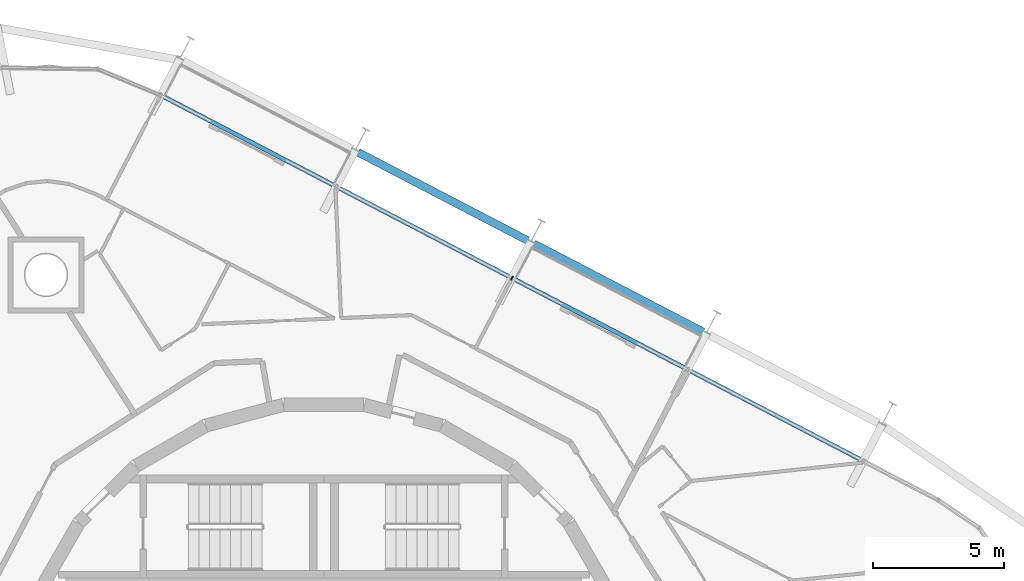
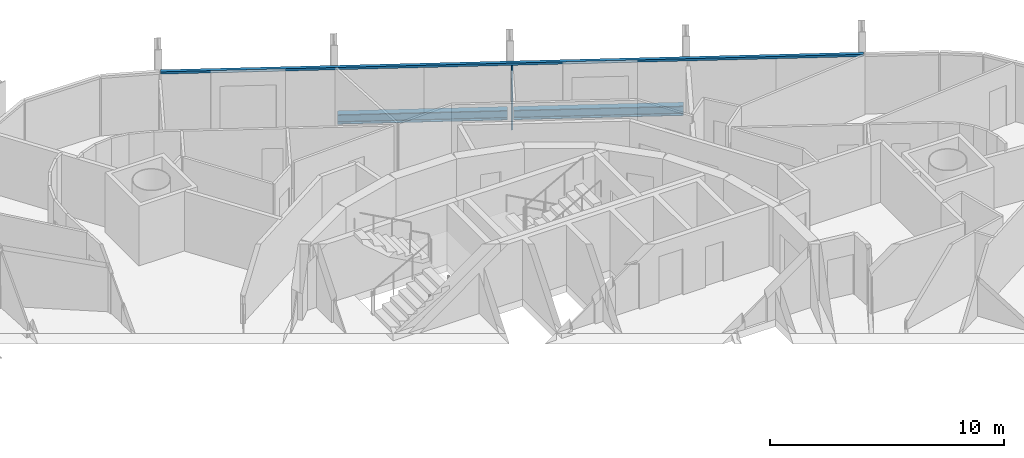
# One storey, part 7 of 18: 2 beams, 2 members, 1 element without a shape of its own.
"""IFC4 building model written with IfcOpenShell, lengths in metres."""

from ifc_helpers import new_model, si_unit, direction, frame, origin, origin_2d, place, context, subcontext, project, spatial, rectangle, i_section, extrude, material, layer, layer_set, material_profile, profile_set, type_object, element, aggregate, save


model = new_model("IFC4")

# Units and contexts
model_context = context("Model", 3, precision=1e-05, world=origin(), true_north=direction((0.0, 1.0)))
body_context = subcontext(model_context, "Body", "Model", "MODEL_VIEW")
ifc_project = project(units=[si_unit("LENGTHUNIT", "METRE"), si_unit("AREAUNIT", "SQUARE_METRE"), si_unit("VOLUMEUNIT", "CUBIC_METRE"), si_unit("PLANEANGLEUNIT", "RADIAN"), si_unit("MASSUNIT", "GRAM", prefix="KILO")], contexts=[model_context])

# Site, building, storey
site_placement = place(None, origin())
site = spatial("IfcSite", under=ifc_project, at=site_placement, CompositionType="ELEMENT")
building_placement = place(site_placement, origin())
building = spatial("IfcBuilding", under=site, at=building_placement, Name="Spindle Arch Residences", CompositionType="ELEMENT")
storey_placement = place(building_placement, frame((0.0, 0.0, 247.699951171875)))
storey = spatial("IfcBuildingStorey", under=building, at=storey_placement, Name="L63", CompositionType="ELEMENT", Elevation=247.699951171875)

# Curtain wall, members
ifc_material_1 = material(Name="Aluminium bronze unitised frame with tinted glass", Category="aluminium")
ifc_layer = layer(ifc_material_1, 0.159912109375)
ifc_layer_set = layer_set([ifc_layer], Name="CW-C typical residential unitised wall")
curtain_wall_type = type_object("IfcCurtainWallType", Name="CW-C typical residential unitised wall", PredefinedType="NOTDEFINED", material=ifc_layer_set)
curtain_wall_placement = place(storey_placement, origin())
curtain_wall = element("IfcCurtainWall", 1, at=curtain_wall_placement, inside=storey, type_object=curtain_wall_type, Name="CW-C L63 run 2", PredefinedType="NOTDEFINED")
ifc_material_2 = material(Name="Aluminium bronze anodised mullion", Category="aluminium")
ifc_material_profile_1 = material_profile(ifc_material_2, rectangle(XDim=0.159912109375, YDim=0.06005859375, at=origin_2d()), Name="MU 60x160")
ifc_profile_set_1 = profile_set([ifc_material_profile_1], Name="Aluminium bronze anodised mullion")
member_type_1 = type_object("IfcMemberType", Name="Bronze mullion 60x160", PredefinedType="MULLION", material=ifc_profile_set_1)
member_1_placement = place(storey_placement, frame((7.15869140625, 16.4697265625, -0.3798828125), z_axis=(0.0, 0.0, 1.0), x_axis=(-0.461748613235, -0.887010833178, 0.0)))
member_1 = element("IfcMember", 2, at=member_1_placement, type_object=member_type_1, Name="CW-C mullion 07", PredefinedType="MULLION", context=body_context, shape_type="SweptSolid", body=[
    extrude(rectangle(XDim=0.159912109375, YDim=0.06005859375, at=origin_2d()), origin(), (0.0, 0.0, 1.0), 3.3798828125),
])
ifc_material_3 = material(Name="Aluminium bronze anodised transom", Category="aluminium")
ifc_material_profile_2 = material_profile(ifc_material_3, rectangle(XDim=0.159912109375, YDim=0.1201171875, at=origin_2d()), Name="TR 120x160")
ifc_profile_set_2 = profile_set([ifc_material_profile_2], Name="Aluminium bronze anodised transom")
member_type_2 = type_object("IfcMemberType", Name="Bronze transom 120x160", PredefinedType="USERDEFINED", material=ifc_profile_set_2)
member_2_placement = place(storey_placement, frame((20.49072265625, 9.529541015625, 3.06005859375), z_axis=(-0.887009936453, 0.461750335825, 0.0), x_axis=(-0.461750335825, -0.887009936453, 0.0)))
member_2 = element("IfcMember", 3, at=member_2_placement, type_object=member_type_2, Name="CW-C transom 00", ObjectType="TRANSOM", PredefinedType="USERDEFINED", context=body_context, shape_type="SweptSolid", body=[
    extrude(rectangle(XDim=0.159912109375, YDim=0.1201171875, at=origin_2d()), origin(), (0.0, 0.0, 1.0), 30.060302734375),
])
aggregate(curtain_wall, [member_2, member_1])

# Beams
ifc_material_4 = material(Name="Steel S460ML, intumescent coating R 120", Category="steel")
ifc_material_profile_3 = material_profile(ifc_material_4, i_section(OverallWidth=0.300048828125, OverallDepth=0.5, WebThickness=0.014404296875, FlangeThickness=0.028076171875, FilletRadius=0.027099609375, at=origin_2d()), Name="HEB 500")
ifc_profile_set_3 = profile_set([ifc_material_profile_3], Name="Steel S460ML, intumescent coating R 120")
beam_type = type_object("IfcBeamType", Name="Exoskeleton edge beam HEB 500", PredefinedType="BEAM", material=ifc_profile_set_3)
for number, where, z_axis, x_axis, name in (
    (4, (14.43359375, 14.418701171875, -0.6298828125), (-0.887007222688, 0.461755548857, 0.0), (-0.461755548857, -0.887007222688, 0.0), "Exoskeleton edge beam 7"),
    (5, (7.75439453125, 17.895751953125, -0.6298828125), (-0.887007222688, 0.461755548857, 0.0), (-0.461755548857, -0.887007222688, 0.0), "Exoskeleton edge beam 8"),
):
    element("IfcBeam", number, at=place(storey_placement, frame(where, z_axis=z_axis, x_axis=x_axis)), inside=storey, type_object=beam_type, Name=name, PredefinedType="BEAM", context=body_context, shape_type="SweptSolid", body=[
        extrude(i_section(OverallWidth=0.300048828125, OverallDepth=0.5, WebThickness=0.014404296875, FlangeThickness=0.028076171875, FilletRadius=0.027099609375, at=origin_2d()), origin(), (0.0, 0.0, 1.0), 7.27001953125),
    ])

save(model, "model.ifc")
